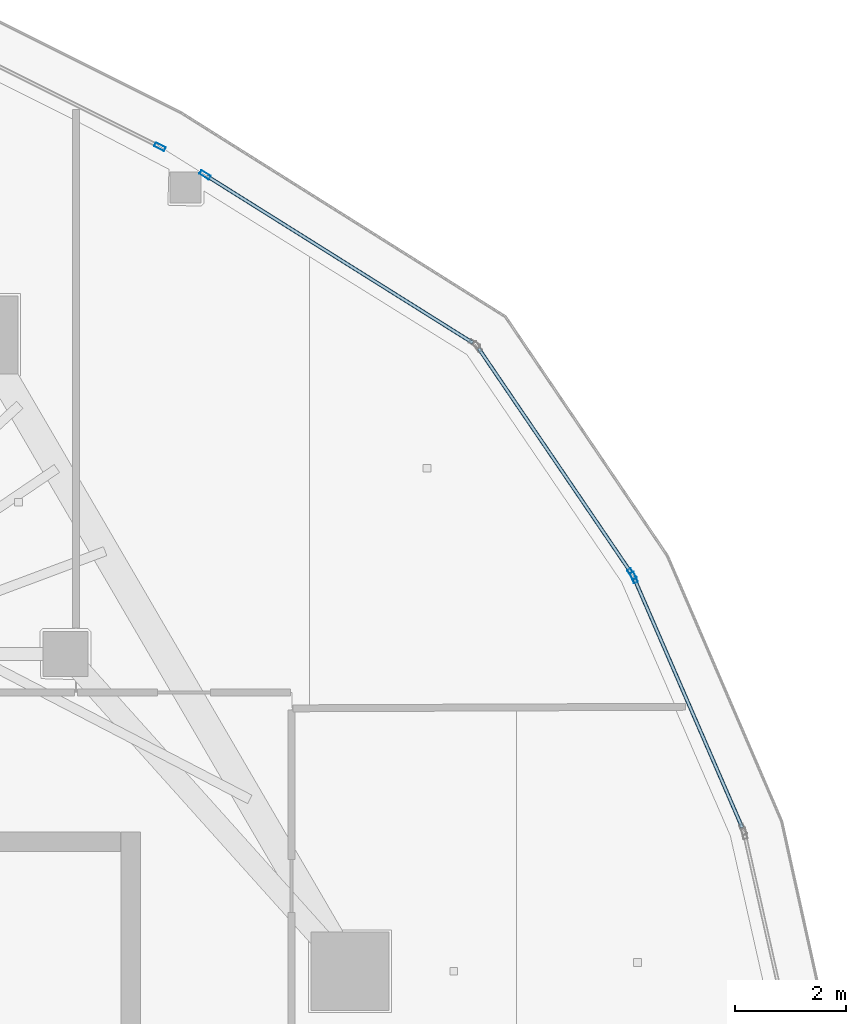
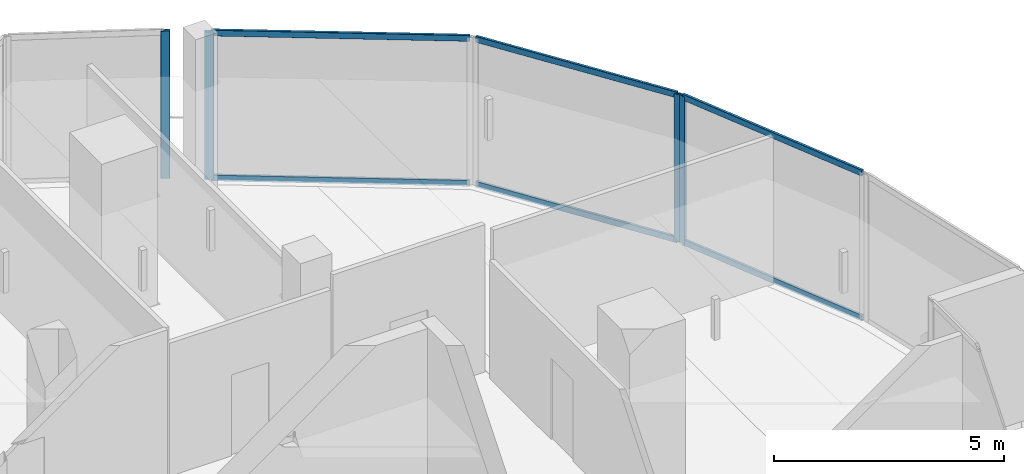
# One storey, part 14 of 25: 10 members, 4 elements without a shape of their own.
"""IFC4 building model written with IfcOpenShell, lengths in metres."""

import ifcopenshell
import ifcopenshell.guid

model = None  # the IFC model being written
_history = None  # IfcOwnerHistory: only IFC2X3 demands one
_inside = {}  # id of a spatial element -> (the spatial element, [elements in it])
_under = {}  # id of a project, library or spatial element -> (it, [spatial elements below it])
_declared = {}  # id of a project -> (the project, [libraries it declares])
_typed = {}  # id of a type object -> (the type object, [elements of that type])
_made_of = {}  # id of a material, layer set ... -> (it, [elements and type objects made of it])


def new_model(schema):
    """Start an empty IFC model of exactly this schema.

    Asked for "IFC4X3", IfcOpenShell would pick the latest addendum, in which some entities
    have other attributes; the version numbers below select the first issue.
    IFC2X3 requires an IfcOwnerHistory on every rooted entity: one is made here for all.
    """
    global model, _history
    if schema == "IFC4X3":
        model = ifcopenshell.file(schema_version=(4, 3, 0, 0))
    else:
        model = ifcopenshell.file(schema=schema)
    _inside.clear()
    _under.clear()
    _declared.clear()
    _typed.clear()
    _made_of.clear()
    _history = None
    if model.schema == "IFC2X3":
        org = make("IfcOrganization", Name="unknown")
        user = make(
            "IfcPersonAndOrganization",
            ThePerson=make("IfcPerson", FamilyName="unknown"),
            TheOrganization=org,
        )
        app = make(
            "IfcApplication",
            ApplicationDeveloper=org,
            Version="unknown",
            ApplicationFullName="unknown",
            ApplicationIdentifier="unknown",
        )
        _history = make(
            "IfcOwnerHistory",
            OwningUser=user,
            OwningApplication=app,
            ChangeAction="ADDED",
            CreationDate=0,
        )
    return model


def make(cls, **values):
    """One entity of the class cls with the attributes given. An attribute that is None is left unset."""
    return model.create_entity(
        cls, **{name: value for name, value in values.items() if value is not None}
    )


def rooted(cls, **values):
    """An entity with a GlobalId (a new one), such as an element, a storey or a relation."""
    return make(cls, GlobalId=ifcopenshell.guid.new(), OwnerHistory=_history, **values)


def si_unit(unit_type, name, prefix=None):
    """IfcSIUnit, for example si_unit("LENGTHUNIT", "METRE", prefix="MILLI")."""
    return make("IfcSIUnit", UnitType=unit_type, Prefix=prefix, Name=name)


def assignment(units):
    """IfcUnitAssignment: the units of a project."""
    return None if units is None else make("IfcUnitAssignment", Units=units)


def point(xyz):
    """IfcCartesianPoint."""
    return None if xyz is None else make("IfcCartesianPoint", Coordinates=xyz)


def direction(xyz):
    """IfcDirection."""
    return None if xyz is None else make("IfcDirection", DirectionRatios=xyz)


def frame(location, z_axis=None, x_axis=None):
    """IfcAxis2Placement3D, a coordinate frame: its origin and axes. An axis left out is left unset."""
    return make(
        "IfcAxis2Placement3D",
        Location=point(location),
        Axis=direction(z_axis),
        RefDirection=direction(x_axis),
    )


def frame_2d(location, x_axis=None):
    """IfcAxis2Placement2D, a coordinate frame in the plane: its origin and x axis."""
    return make(
        "IfcAxis2Placement2D", Location=point(location), RefDirection=direction(x_axis)
    )


def origin():
    """The frame at (0, 0, 0) with its axes left unset."""
    return frame((0.0, 0.0, 0.0))


def origin_2d():
    """The frame at (0, 0) in the plane with its x axis left unset."""
    return frame_2d((0.0, 0.0))


def place(relative_to, where):
    """IfcLocalPlacement: puts the frame where relative to a parent placement (None: the world)."""
    return make(
        "IfcLocalPlacement", PlacementRelTo=relative_to, RelativePlacement=where
    )


def context(
    kind, dimensions, precision=None, world=None, true_north=None, identifier=None
):
    """IfcGeometricRepresentationContext, for example the 3D "Model" context."""
    return make(
        "IfcGeometricRepresentationContext",
        ContextIdentifier=identifier,
        ContextType=kind,
        CoordinateSpaceDimension=dimensions,
        Precision=precision,
        WorldCoordinateSystem=world,
        TrueNorth=true_north,
    )


def subcontext(parent, identifier, kind, view, scale=None):
    """IfcGeometricRepresentationSubContext, for example "Body" below "Model"."""
    return make(
        "IfcGeometricRepresentationSubContext",
        ContextIdentifier=identifier,
        ContextType=kind,
        ParentContext=parent,
        TargetScale=scale,
        TargetView=view,
    )


def project(units=None, contexts=None):
    """IfcProject with its units and contexts."""
    return rooted(
        "IfcProject",
        Name="project",
        RepresentationContexts=contexts,
        UnitsInContext=assignment(units),
    )


def spatial(cls, under=None, at=None, **own):
    """A site, building, storey or space (cls), placed at a placement, below another one or the project."""
    s = rooted(cls, ObjectPlacement=at, **own)
    if under is not None:
        _under.setdefault(under.id(), (under, []))[1].append(s)
    return s


def profile(cls, at=None, kind="AREA", **sizes):
    """A parametric profile (cls). Its sizes go by their IFC names, for example OverallWidth=200.0."""
    return make(cls, ProfileType=kind, Position=at, **sizes)


def hollow_rectangle(**sizes):
    """IfcRectangleHollowProfileDef."""
    return profile("IfcRectangleHollowProfileDef", **sizes)


def extrude(swept, where, along, depth):
    """IfcExtrudedAreaSolid: the profile swept, set in the frame where, extruded along a direction by depth."""
    return make(
        "IfcExtrudedAreaSolid",
        SweptArea=swept,
        Position=where,
        ExtrudedDirection=direction(along),
        Depth=depth,
    )


def shape(context_of_items, identifier, shape_type, items):
    """IfcShapeRepresentation: the items that make up one representation, for example the "Body"."""
    return make(
        "IfcShapeRepresentation",
        ContextOfItems=context_of_items,
        RepresentationIdentifier=identifier,
        RepresentationType=shape_type,
        Items=items,
    )


def material(Name=None, Category=None):
    """IfcMaterial."""
    return make("IfcMaterial", Name=Name, Category=Category)


def layer(
    of_material, thickness, ventilated=None, Name=None, Category=None, Priority=None
):
    """IfcMaterialLayer: one layer of a wall or slab, of a material (None: an air gap)."""
    return make(
        "IfcMaterialLayer",
        Material=of_material,
        LayerThickness=thickness,
        IsVentilated=ventilated,
        Name=Name,
        Category=Category,
        Priority=Priority,
    )


def layer_set(layers, Name=None):
    """IfcMaterialLayerSet."""
    return make("IfcMaterialLayerSet", MaterialLayers=layers, LayerSetName=Name)


def material_profile(
    of_material, cross_section, Name=None, Category=None, Priority=None
):
    """IfcMaterialProfile: a cross section and its material."""
    return make(
        "IfcMaterialProfile",
        Name=Name,
        Material=of_material,
        Profile=cross_section,
        Priority=Priority,
        Category=Category,
    )


def profile_set(profiles, Name=None, composite=None):
    """IfcMaterialProfileSet."""
    return make(
        "IfcMaterialProfileSet",
        Name=Name,
        MaterialProfiles=profiles,
        CompositeProfile=composite,
    )


def made_of(thing, what):
    """Note that an element or type object is made of a material, layer set ...; save() writes the relation."""
    if what is not None:
        _made_of.setdefault(what.id(), (what, []))[1].append(thing)
    return thing


def type_object(cls, material=None, **own):
    """A type object (cls), such as IfcWallType, which elements share."""
    return made_of(rooted(cls, **own), material)


def element(
    cls,
    number,
    at=None,
    inside=None,
    cuts=None,
    type_object=None,
    material=None,
    context=None,
    identifier="Body",
    shape_type=None,
    held_by="IfcProductDefinitionShape",
    body=None,
    shapes=None,
    **own,
):
    """One element of the class cls, such as IfcWall. Its Tag is "e" and its number.

    at: its placement. inside: the storey or other place that contains it. cuts: it is an
    opening in that element (IfcRelVoidsElement). A single representation is given by context,
    identifier, shape_type and body (its items); several are given by shapes. held_by: the class
    of the entity that holds the representations. save() writes the other relations.
    """
    e = rooted(cls, Tag="e%d" % number, ObjectPlacement=at, **own)
    if body is not None:
        shapes = [shape(context, identifier, shape_type, body)]
    if shapes is not None:
        e.Representation = make(held_by, Representations=shapes)
    if inside is not None:
        _inside.setdefault(inside.id(), (inside, []))[1].append(e)
    if cuts is not None:
        rooted(
            "IfcRelVoidsElement", RelatingBuildingElement=cuts, RelatedOpeningElement=e
        )
    if type_object is not None:
        _typed.setdefault(type_object.id(), (type_object, []))[1].append(e)
    return made_of(e, material)


def aggregate(whole, parts):
    """IfcRelAggregates: a whole, such as a stair, and the parts it consists of."""
    return rooted("IfcRelAggregates", RelatingObject=whole, RelatedObjects=parts)


def save(model, path):
    """Write the relations noted so far, then the file.

    IfcRelAggregates (storeys below a building ...), IfcRelContainedInSpatialStructure (elements
    in a storey), IfcRelDefinesByType, IfcRelAssociatesMaterial and IfcRelDeclares: one each for
    every whole, place, type object, material and project.
    """
    for whole, parts in _under.values():
        aggregate(whole, parts)
    for where, things in _inside.values():
        rooted(
            "IfcRelContainedInSpatialStructure",
            RelatedElements=things,
            RelatingStructure=where,
        )
    for kind, things in _typed.values():
        rooted("IfcRelDefinesByType", RelatedObjects=things, RelatingType=kind)
    for what, things in _made_of.values():
        rooted("IfcRelAssociatesMaterial", RelatedObjects=things, RelatingMaterial=what)
    for by, libraries in _declared.values():
        rooted("IfcRelDeclares", RelatingContext=by, RelatedDefinitions=libraries)
    model.write(path)


model = new_model("IFC4")

# Units and contexts
model_context = context("Model", 3, precision=1e-05, world=origin(), true_north=direction((0.0, 1.0)))
body_context = subcontext(model_context, "Body", "Model", "MODEL_VIEW")
ifc_project = project(units=[si_unit("LENGTHUNIT", "METRE"), si_unit("AREAUNIT", "SQUARE_METRE"), si_unit("VOLUMEUNIT", "CUBIC_METRE"), si_unit("PLANEANGLEUNIT", "RADIAN"), si_unit("MASSUNIT", "GRAM", prefix="KILO")], contexts=[model_context])

# Site, building, storey
site_placement = place(None, origin())
site = spatial("IfcSite", under=ifc_project, at=site_placement, CompositionType="ELEMENT")
building_placement = place(site_placement, origin())
building = spatial("IfcBuilding", under=site, at=building_placement, Name="Qorvath Tower", CompositionType="ELEMENT")
storey_placement = place(building_placement, frame((0.0, 0.0, 306.0)))
storey = spatial("IfcBuildingStorey", under=building, at=storey_placement, Name="L71", CompositionType="ELEMENT", Elevation=306.0)

# Curtain wall, member
ifc_material_1 = material(Name="Anodised aluminium and triple low-E glass", Category="aluminium")
ifc_layer = layer(ifc_material_1, 0.179931640625)
ifc_layer_set = layer_set([ifc_layer], Name="CW-SYS-4")
curtain_wall_type = type_object("IfcCurtainWallType", Name="CW-SYS-4", PredefinedType="NOTDEFINED", material=ifc_layer_set)
curtain_wall_1_placement = place(storey_placement, origin())
curtain_wall_1 = element("IfcCurtainWall", 1, at=curtain_wall_1_placement, inside=storey, type_object=curtain_wall_type, Name="Curtain Wall CW-4 CW-T-L71-12.1", PredefinedType="NOTDEFINED")
ifc_material_2 = material(Name="Anodised aluminium 6063-T6", Category="aluminium")
ifc_material_profile_1 = material_profile(ifc_material_2, hollow_rectangle(XDim=0.074951171875, YDim=0.199951171875, WallThickness=0.00390625, InnerFilletRadius=0.00390625, OuterFilletRadius=0.008056640625, at=origin_2d()), Name="CWM 200x75")
ifc_profile_set_1 = profile_set([ifc_material_profile_1], Name="Anodised aluminium 6063-T6")
member_type_1 = type_object("IfcMemberType", Name="CWM-200", PredefinedType="MULLION", material=ifc_profile_set_1)
member_1_placement = place(storey_placement, frame((-7.00244140625, 12.8203125, 0.0), z_axis=(0.0, 0.0, 1.0), x_axis=(-0.917512584773, -0.397706747219, 0.0)))
member_1 = element("IfcMember", 2, at=member_1_placement, type_object=member_type_1, Name="CW-4 mullion 2", PredefinedType="MULLION", context=body_context, shape_type="SweptSolid", body=[
    extrude(hollow_rectangle(XDim=0.074951171875, YDim=0.199951171875, WallThickness=0.00390625, InnerFilletRadius=0.00390625, OuterFilletRadius=0.008056640625, at=origin_2d()), origin(), (0.0, 0.0, 1.0), 3.909912109375),
])

curtain_wall_2_placement = place(storey_placement, origin())
curtain_wall_2 = element("IfcCurtainWall", 3, at=curtain_wall_2_placement, inside=storey, type_object=curtain_wall_type, Name="Curtain Wall CW-4 CW-T-L71-13.1", PredefinedType="NOTDEFINED")
member_2_placement = place(storey_placement, frame((-7.038330078125, 12.8857421875, 0.0), z_axis=(0.0, 0.0, 1.0), x_axis=(-0.827117964298, -0.562028356166, 0.0)))
member_2 = element("IfcMember", 4, at=member_2_placement, type_object=member_type_1, Name="CW-4 mullion 1", PredefinedType="MULLION", context=body_context, shape_type="SweptSolid", body=[
    extrude(hollow_rectangle(XDim=0.074951171875, YDim=0.199951171875, WallThickness=0.00390625, InnerFilletRadius=0.00390625, OuterFilletRadius=0.008056640625, at=origin_2d()), origin(), (0.0, 0.0, 1.0), 3.909912109375),
])

curtain_wall_3_placement = place(storey_placement, origin())
curtain_wall_3 = element("IfcCurtainWall", 5, at=curtain_wall_3_placement, inside=storey, type_object=curtain_wall_type, Name="Curtain Wall CW-4 CW-T-L71-14.1", PredefinedType="NOTDEFINED")
member_3_placement = place(storey_placement, frame((-14.6943359375, 20.043701171875, 0.0), z_axis=(0.0, 0.0, 1.0), x_axis=(-0.531358682964, -0.847146947134, 0.0)))
member_3 = element("IfcMember", 6, at=member_3_placement, type_object=member_type_1, Name="CW-4 mullion 2", PredefinedType="MULLION", context=body_context, shape_type="SweptSolid", body=[
    extrude(hollow_rectangle(XDim=0.074951171875, YDim=0.199951171875, WallThickness=0.00390625, InnerFilletRadius=0.00390625, OuterFilletRadius=0.008056640625, at=origin_2d()), origin(), (0.0, 0.0, 1.0), 3.909912109375),
])

curtain_wall_4_placement = place(storey_placement, origin())
curtain_wall_4 = element("IfcCurtainWall", 7, at=curtain_wall_4_placement, inside=storey, type_object=curtain_wall_type, Name="Curtain Wall CW-4 CW-T-L71-15.1", PredefinedType="NOTDEFINED")
member_4_placement = place(storey_placement, frame((-15.504638671875, 20.5478515625, 0.0), z_axis=(0.0, 0.0, 1.0), x_axis=(-0.447224921915, -0.894421527703, 0.0)))
member_4 = element("IfcMember", 8, at=member_4_placement, type_object=member_type_1, Name="CW-4 mullion 1", PredefinedType="MULLION", context=body_context, shape_type="SweptSolid", body=[
    extrude(hollow_rectangle(XDim=0.074951171875, YDim=0.199951171875, WallThickness=0.00390625, InnerFilletRadius=0.00390625, OuterFilletRadius=0.008056640625, at=origin_2d()), origin(), (0.0, 0.0, 1.0), 3.909912109375),
])
aggregate(curtain_wall_4, [member_4])

# Member
ifc_material_3 = material(Name="Anodised aluminium 6063-T6", Category="aluminium")
ifc_material_profile_2 = material_profile(ifc_material_3, hollow_rectangle(XDim=0.06494140625, YDim=0.159912109375, WallThickness=0.00341796875, InnerFilletRadius=0.00341796875, OuterFilletRadius=0.007080078125, at=origin_2d()), Name="CWT 160x65")
ifc_profile_set_2 = profile_set([ifc_material_profile_2], Name="Anodised aluminium 6063-T6")
member_type_2 = type_object("IfcMemberType", Name="CWT-160", PredefinedType="USERDEFINED", material=ifc_profile_set_2)
member_5_placement = place(storey_placement, frame((-5.057861328125, 8.33447265625, 0.032470703125), z_axis=(-0.397735942529, 0.917499929167, 0.0), x_axis=(-0.917499929167, -0.397735942529, 0.0)))
member_5 = element("IfcMember", 9, at=member_5_placement, type_object=member_type_2, Name="CW-4 transom 1.1", ObjectType="TRANSOM", PredefinedType="USERDEFINED", context=body_context, shape_type="SweptSolid", body=[
    extrude(hollow_rectangle(XDim=0.06494140625, YDim=0.159912109375, WallThickness=0.00341796875, InnerFilletRadius=0.00341796875, OuterFilletRadius=0.007080078125, at=origin_2d()), origin(), (0.0, 0.0, 1.0), 4.8515625),
])

member_6_placement = place(storey_placement, frame((-5.057861328125, 8.33447265625, 3.87744140625), z_axis=(-0.397735942529, 0.917499929167, 0.0), x_axis=(-0.917499929167, -0.397735942529, 0.0)))
member_6 = element("IfcMember", 10, at=member_6_placement, type_object=member_type_2, Name="CW-4 transom 1.2", ObjectType="TRANSOM", PredefinedType="USERDEFINED", context=body_context, shape_type="SweptSolid", body=[
    extrude(hollow_rectangle(XDim=0.06494140625, YDim=0.159912109375, WallThickness=0.00341796875, InnerFilletRadius=0.00341796875, OuterFilletRadius=0.007080078125, at=origin_2d()), origin(), (0.0, 0.0, 1.0), 4.8515625),
])

aggregate(curtain_wall_1, [member_1, member_5, member_6])

member_7_placement = place(storey_placement, frame((-7.0595703125, 12.916748046875, 0.032470703125), z_axis=(-0.561994780585, 0.827140777979, 0.0), x_axis=(-0.827140777979, -0.561994780585, 0.0)))
member_7 = element("IfcMember", 11, at=member_7_placement, type_object=member_type_2, Name="CW-4 transom 1.1", ObjectType="TRANSOM", PredefinedType="USERDEFINED", context=body_context, shape_type="SweptSolid", body=[
    extrude(hollow_rectangle(XDim=0.06494140625, YDim=0.159912109375, WallThickness=0.00341796875, InnerFilletRadius=0.00341796875, OuterFilletRadius=0.007080078125, at=origin_2d()), origin(), (0.0, 0.0, 1.0), 4.8515625),
])

member_8_placement = place(storey_placement, frame((-7.0595703125, 12.916748046875, 3.87744140625), z_axis=(-0.561994780585, 0.827140777979, 0.0), x_axis=(-0.827140777979, -0.561994780585, 0.0)))
member_8 = element("IfcMember", 12, at=member_8_placement, type_object=member_type_2, Name="CW-4 transom 1.2", ObjectType="TRANSOM", PredefinedType="USERDEFINED", context=body_context, shape_type="SweptSolid", body=[
    extrude(hollow_rectangle(XDim=0.06494140625, YDim=0.159912109375, WallThickness=0.00341796875, InnerFilletRadius=0.00341796875, OuterFilletRadius=0.007080078125, at=origin_2d()), origin(), (0.0, 0.0, 1.0), 4.8515625),
])

aggregate(curtain_wall_2, [member_2, member_7, member_8])

member_9_placement = place(storey_placement, frame((-9.891845703125, 17.031494140625, 0.032470703125), z_axis=(-0.847142337535, 0.531366031993, 0.0), x_axis=(-0.531366031993, -0.847142337535, 0.0)))
member_9 = element("IfcMember", 13, at=member_9_placement, type_object=member_type_2, Name="CW-4 transom 1.1", ObjectType="TRANSOM", PredefinedType="USERDEFINED", context=body_context, shape_type="SweptSolid", body=[
    extrude(hollow_rectangle(XDim=0.06494140625, YDim=0.159912109375, WallThickness=0.00341796875, InnerFilletRadius=0.00341796875, OuterFilletRadius=0.007080078125, at=origin_2d()), origin(), (0.0, 0.0, 1.0), 5.631591796875),
])

member_10_placement = place(storey_placement, frame((-9.891845703125, 17.031494140625, 3.87744140625), z_axis=(-0.847142337535, 0.531366031993, 0.0), x_axis=(-0.531366031993, -0.847142337535, 0.0)))
member_10 = element("IfcMember", 14, at=member_10_placement, type_object=member_type_2, Name="CW-4 transom 1.2", ObjectType="TRANSOM", PredefinedType="USERDEFINED", context=body_context, shape_type="SweptSolid", body=[
    extrude(hollow_rectangle(XDim=0.06494140625, YDim=0.159912109375, WallThickness=0.00341796875, InnerFilletRadius=0.00341796875, OuterFilletRadius=0.007080078125, at=origin_2d()), origin(), (0.0, 0.0, 1.0), 5.631591796875),
])

aggregate(curtain_wall_3, [member_3, member_9, member_10])

save(model, "model.ifc")
